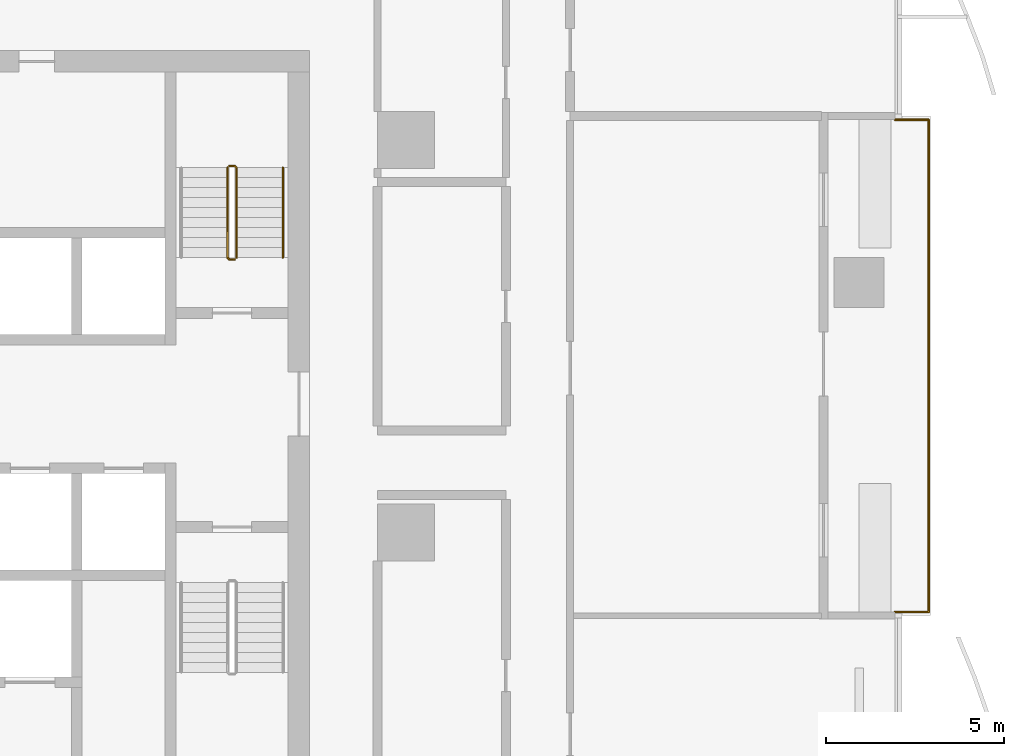
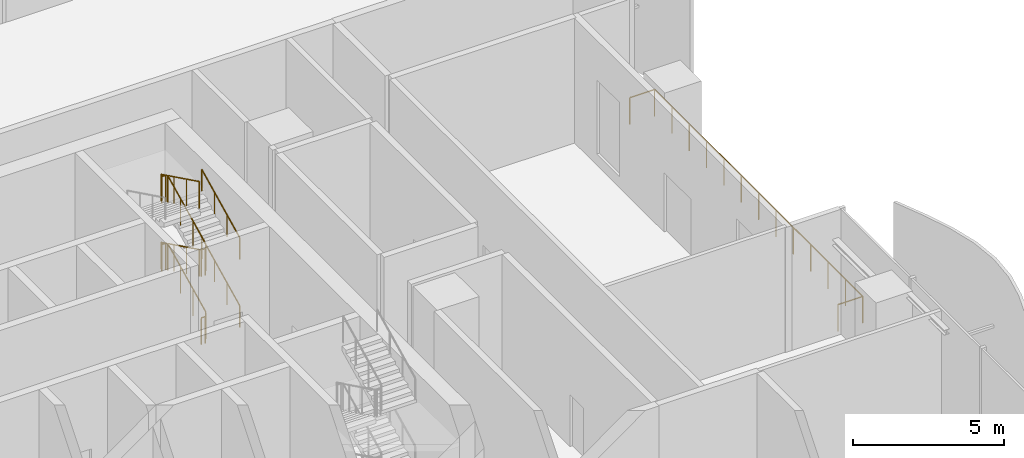
# One storey, part 19 of 20: 8 railings.
"""IFC4 building model written with IfcOpenShell, lengths in metres."""

from ifc_helpers import new_model, si_unit, direction, frame, origin, origin_2d, place, context, subcontext, project, spatial, circle, extrude, material, type_object, element, save


model = new_model("IFC4")

# Units and contexts
model_context = context("Model", 3, precision=1e-05, world=origin(), true_north=direction((0.0, 1.0)))
body_context = subcontext(model_context, "Body", "Model", "MODEL_VIEW")
ifc_project = project(units=[si_unit("LENGTHUNIT", "METRE"), si_unit("AREAUNIT", "SQUARE_METRE"), si_unit("VOLUMEUNIT", "CUBIC_METRE"), si_unit("PLANEANGLEUNIT", "RADIAN"), si_unit("MASSUNIT", "GRAM", prefix="KILO")], contexts=[model_context])

# Site, building, storey
site_placement = place(None, origin())
site = spatial("IfcSite", under=ifc_project, at=site_placement, CompositionType="ELEMENT")
building_placement = place(site_placement, origin())
building = spatial("IfcBuilding", under=site, at=building_placement, Name="Mopane Tessera Tower", CompositionType="ELEMENT")
storey_placement = place(building_placement, frame((0.0, 0.0, 25.5)))
storey = spatial("IfcBuildingStorey", under=building, at=storey_placement, Name="L04", CompositionType="ELEMENT", Elevation=25.5)

# Railings
ifc_material_1 = material(Name="Powder-coated steel balustrade", Category="steel")
railing_type_1 = type_object("IfcRailingType", Name="Escape stair guard 1100 mm", PredefinedType="GUARDRAIL", material=ifc_material_1)
railing_1_placement = place(storey_placement, frame((12.35009765625, 7.699951171875, 0.137451171875)))
element("IfcRailing", 1, at=railing_1_placement, inside=storey, type_object=railing_type_1, Name="L04 ST4 stair guard 1", PredefinedType="GUARDRAIL", context=body_context, shape_type="SweptSolid", body=[
    extrude(circle(Radius=0.02392578125, at=origin_2d()), frame((0.0, 0.0, 1.076171875), z_axis=(0.0, 0.897604431175, 0.440801866075), x_axis=(-1.0, 0.0, 0.0)), (0.0, 0.0, 1.0), 2.807373046875),
    extrude(circle(Radius=0.02392578125, at=origin_2d()), frame((0.0, 2.52001953125, 2.3134765625), z_axis=(-0.707106781187, 0.707106781187, 0.0), x_axis=(-0.707106781187, -0.707106781187, 0.0)), (0.0, 0.0, 1.0), 0.07080078125),
    extrude(circle(Radius=0.02392578125, at=origin_2d()), frame((-0.050048828125, 2.570068359375, 2.3134765625), z_axis=(-1.0, 0.0, 0.0), x_axis=(0.0, -1.0, 0.0)), (0.0, 0.0, 1.0), 0.150146484375),
    extrude(circle(Radius=0.02099609375, at=origin_2d()), origin(), (0.0, 0.0, 1.0), 1.052001953125),
    extrude(circle(Radius=0.02099609375, at=origin_2d()), frame((0.0, 0.840087890625, 0.41259765625)), (0.0, 0.0, 1.0), 1.052001953125),
    extrude(circle(Radius=0.02099609375, at=origin_2d()), frame((0.0, 1.679931640625, 0.824951171875)), (0.0, 0.0, 1.0), 1.052001953125),
    extrude(circle(Radius=0.02099609375, at=origin_2d()), frame((0.0, 2.52001953125, 1.237548828125)), (0.0, 0.0, 1.0), 1.052001953125),
    extrude(circle(Radius=0.02099609375, at=origin_2d()), frame((-0.050048828125, 2.570068359375, 1.237548828125)), (0.0, 0.0, 1.0), 1.052001953125),
    extrude(circle(Radius=0.02099609375, at=origin_2d()), frame((-0.2001953125, 2.570068359375, 1.237548828125)), (0.0, 0.0, 1.0), 1.052001953125),
])
railing_2_placement = place(storey_placement, frame((12.10009765625, 10.219970703125, 1.512451171875)))
element("IfcRailing", 2, at=railing_2_placement, inside=storey, type_object=railing_type_1, Name="L04 ST4 stair guard 2", PredefinedType="GUARDRAIL", context=body_context, shape_type="SweptSolid", body=[
    extrude(circle(Radius=0.02392578125, at=origin_2d()), frame((0.0, 0.0, 1.076171875), z_axis=(0.0, -0.897604431175, 0.440801866075), x_axis=(1.0, 0.0, 0.0)), (0.0, 0.0, 1.0), 2.807373046875),
    extrude(circle(Radius=0.02392578125, at=origin_2d()), frame((0.0, -2.52001953125, 2.3134765625), z_axis=(0.705375805398, -0.708833529934, 0.0), x_axis=(0.708833529934, 0.705375805398, 0.0)), (0.0, 0.0, 1.0), 0.070556640625),
    extrude(circle(Radius=0.02392578125, at=origin_2d()), frame((0.0498046875, -2.570068359375, 2.3134765625), z_axis=(1.0, 0.0, 0.0), x_axis=(0.0, 1.0, 0.0)), (0.0, 0.0, 1.0), 0.150146484375),
    extrude(circle(Radius=0.02099609375, at=origin_2d()), origin(), (0.0, 0.0, 1.0), 1.052001953125),
    extrude(circle(Radius=0.02099609375, at=origin_2d()), frame((0.0, -0.840087890625, 0.41259765625)), (0.0, 0.0, 1.0), 1.052001953125),
    extrude(circle(Radius=0.02099609375, at=origin_2d()), frame((0.0, -1.679931640625, 0.824951171875)), (0.0, 0.0, 1.0), 1.052001953125),
    extrude(circle(Radius=0.02099609375, at=origin_2d()), frame((0.0, -2.52001953125, 1.237548828125)), (0.0, 0.0, 1.0), 1.052001953125),
    extrude(circle(Radius=0.02099609375, at=origin_2d()), frame((0.0498046875, -2.570068359375, 1.237548828125)), (0.0, 0.0, 1.0), 1.052001953125),
    extrude(circle(Radius=0.02099609375, at=origin_2d()), frame((0.199951171875, -2.570068359375, 1.237548828125)), (0.0, 0.0, 1.0), 1.052001953125),
])
railing_3_placement = place(storey_placement, frame((12.35009765625, 7.699951171875, 2.887451171875)))
element("IfcRailing", 3, at=railing_3_placement, inside=storey, type_object=railing_type_1, Name="L04 ST4 stair guard 3", PredefinedType="GUARDRAIL", context=body_context, shape_type="SweptSolid", body=[
    extrude(circle(Radius=0.02392578125, at=origin_2d()), frame((0.0, 0.0, 1.076171875), z_axis=(0.0, 0.897604431175, 0.440801866075), x_axis=(-1.0, 0.0, 0.0)), (0.0, 0.0, 1.0), 2.807373046875),
    extrude(circle(Radius=0.02392578125, at=origin_2d()), frame((0.0, 2.52001953125, 2.3134765625), z_axis=(-0.707106781187, 0.707106781187, 0.0), x_axis=(-0.707106781187, -0.707106781187, 0.0)), (0.0, 0.0, 1.0), 0.07080078125),
    extrude(circle(Radius=0.02392578125, at=origin_2d()), frame((-0.050048828125, 2.570068359375, 2.3134765625), z_axis=(-1.0, 0.0, 0.0), x_axis=(0.0, -1.0, 0.0)), (0.0, 0.0, 1.0), 0.150146484375),
    extrude(circle(Radius=0.02099609375, at=origin_2d()), origin(), (0.0, 0.0, 1.0), 1.052001953125),
    extrude(circle(Radius=0.02099609375, at=origin_2d()), frame((0.0, 0.840087890625, 0.41259765625)), (0.0, 0.0, 1.0), 1.052001953125),
    extrude(circle(Radius=0.02099609375, at=origin_2d()), frame((0.0, 1.679931640625, 0.824951171875)), (0.0, 0.0, 1.0), 1.052001953125),
    extrude(circle(Radius=0.02099609375, at=origin_2d()), frame((0.0, 2.52001953125, 1.237548828125)), (0.0, 0.0, 1.0), 1.052001953125),
    extrude(circle(Radius=0.02099609375, at=origin_2d()), frame((-0.050048828125, 2.570068359375, 1.237548828125)), (0.0, 0.0, 1.0), 1.052001953125),
    extrude(circle(Radius=0.02099609375, at=origin_2d()), frame((-0.2001953125, 2.570068359375, 1.237548828125)), (0.0, 0.0, 1.0), 1.052001953125),
])
railing_4_placement = place(storey_placement, frame((12.10009765625, 10.219970703125, 4.262451171875)))
element("IfcRailing", 4, at=railing_4_placement, inside=storey, type_object=railing_type_1, Name="L04 ST4 stair guard 4", PredefinedType="GUARDRAIL", context=body_context, shape_type="SweptSolid", body=[
    extrude(circle(Radius=0.02392578125, at=origin_2d()), frame((0.0, 0.0, 1.076171875), z_axis=(0.0, -0.897604431175, 0.440801866075), x_axis=(1.0, 0.0, 0.0)), (0.0, 0.0, 1.0), 2.807373046875),
    extrude(circle(Radius=0.02099609375, at=origin_2d()), origin(), (0.0, 0.0, 1.0), 1.052001953125),
    extrude(circle(Radius=0.02099609375, at=origin_2d()), frame((0.0, -0.840087890625, 0.41259765625)), (0.0, 0.0, 1.0), 1.052001953125),
    extrude(circle(Radius=0.02099609375, at=origin_2d()), frame((0.0, -1.679931640625, 0.824951171875)), (0.0, 0.0, 1.0), 1.052001953125),
    extrude(circle(Radius=0.02099609375, at=origin_2d()), frame((0.0, -2.52001953125, 1.237548828125)), (0.0, 0.0, 1.0), 1.052001953125),
])
railing_5_placement = place(storey_placement, frame((12.300048828125, 7.64990234375, 0.0)))
element("IfcRailing", 5, at=railing_5_placement, inside=storey, type_object=railing_type_1, Name="L04 ST4 stair guard 5", PredefinedType="GUARDRAIL", context=body_context, shape_type="SweptSolid", body=[
    extrude(circle(Radius=0.02392578125, at=origin_2d()), frame((0.0, 0.0, 1.076171875), z_axis=(-1.0, 0.0, 0.0), x_axis=(0.0, -1.0, 0.0)), (0.0, 0.0, 1.0), 0.150146484375),
    extrude(circle(Radius=0.02099609375, at=origin_2d()), origin(), (0.0, 0.0, 1.0), 1.052001953125),
    extrude(circle(Radius=0.02099609375, at=origin_2d()), frame((-0.150146484375, 0.0, 0.0)), (0.0, 0.0, 1.0), 1.052001953125),
])
ifc_material_2 = material(Name="Powder-coated steel balustrade", Category="steel")
railing_type_2 = type_object("IfcRailingType", Name="Escape stair handrail 900 mm", PredefinedType="HANDRAIL", material=ifc_material_2)
for number, where, name in (
    (6, (13.64990234375, 7.699951171875, 0.137451171875), "L04 ST4 stair handrail 1"),
    (7, (13.64990234375, 7.699951171875, 2.887451171875), "L04 ST4 stair handrail 3"),
):
    element("IfcRailing", number, at=place(storey_placement, frame(where)), inside=storey, type_object=railing_type_2, Name=name, PredefinedType="HANDRAIL", context=body_context, shape_type="SweptSolid", body=[
        extrude(circle(Radius=0.02392578125, at=origin_2d()), frame((0.0, 0.0, 0.8759765625), z_axis=(0.0, 0.897604431175, 0.440801866075), x_axis=(-1.0, 0.0, 0.0)), (0.0, 0.0, 1.0), 2.807373046875),
        extrude(circle(Radius=0.02099609375, at=origin_2d()), origin(), (0.0, 0.0, 1.0), 0.851806640625),
        extrude(circle(Radius=0.02099609375, at=origin_2d()), frame((0.0, 0.840087890625, 0.41259765625)), (0.0, 0.0, 1.0), 0.851806640625),
        extrude(circle(Radius=0.02099609375, at=origin_2d()), frame((0.0, 1.679931640625, 0.824951171875)), (0.0, 0.0, 1.0), 0.851806640625),
        extrude(circle(Radius=0.02099609375, at=origin_2d()), frame((0.0, 2.52001953125, 1.237548828125)), (0.0, 0.0, 1.0), 0.851806640625),
    ])
ifc_material_3 = material(Name="Stainless steel S316", Category="steel")
railing_type_3 = type_object("IfcRailingType", Name="Terrace guard 1100", PredefinedType="GUARDRAIL", material=ifc_material_3)
railing_6_placement = place(storey_placement, frame((30.800048828125, -2.2333984375, 0.0)))
element("IfcRailing", 8, at=railing_6_placement, inside=storey, type_object=railing_type_3, Name="e:nw:L04:N2:guard", PredefinedType="GUARDRAIL", context=body_context, shape_type="SweptSolid", body=[
    extrude(circle(Radius=0.02392578125, at=origin_2d()), frame((0.0, 0.0, 1.076171875), z_axis=(1.0, 0.0, 0.0), x_axis=(0.0, 1.0, 0.0)), (0.0, 0.0, 1.0), 0.949951171875),
    extrude(circle(Radius=0.02392578125, at=origin_2d()), frame((0.949951171875, 0.0, 1.076171875), z_axis=(0.0, 1.0, 0.0), x_axis=(-1.0, 0.0, 0.0)), (0.0, 0.0, 1.0), 13.800048828125),
    extrude(circle(Radius=0.02392578125, at=origin_2d()), frame((0.949951171875, 13.800048828125, 1.076171875), z_axis=(-1.0, 0.0, 0.0), x_axis=(0.0, -1.0, 0.0)), (0.0, 0.0, 1.0), 0.949951171875),
    extrude(circle(Radius=0.02099609375, at=origin_2d()), origin(), (0.0, 0.0, 1.0), 1.052001953125),
    extrude(circle(Radius=0.02099609375, at=origin_2d()), frame((0.949951171875, 0.0, 0.0)), (0.0, 0.0, 1.0), 1.052001953125),
    extrude(circle(Radius=0.02099609375, at=origin_2d()), frame((0.949951171875, 1.14990234375, 0.0)), (0.0, 0.0, 1.0), 1.052001953125),
    extrude(circle(Radius=0.02099609375, at=origin_2d()), frame((0.949951171875, 2.300048828125, 0.0)), (0.0, 0.0, 1.0), 1.052001953125),
    extrude(circle(Radius=0.02099609375, at=origin_2d()), frame((0.949951171875, 3.449951171875, 0.0)), (0.0, 0.0, 1.0), 1.052001953125),
    extrude(circle(Radius=0.02099609375, at=origin_2d()), frame((0.949951171875, 4.60009765625, 0.0)), (0.0, 0.0, 1.0), 1.052001953125),
    extrude(circle(Radius=0.02099609375, at=origin_2d()), frame((0.949951171875, 5.75, 0.0)), (0.0, 0.0, 1.0), 1.052001953125),
    extrude(circle(Radius=0.02099609375, at=origin_2d()), frame((0.949951171875, 6.89990234375, 0.0)), (0.0, 0.0, 1.0), 1.052001953125),
    extrude(circle(Radius=0.02099609375, at=origin_2d()), frame((0.949951171875, 8.050048828125, 0.0)), (0.0, 0.0, 1.0), 1.052001953125),
    extrude(circle(Radius=0.02099609375, at=origin_2d()), frame((0.949951171875, 9.199951171875, 0.0)), (0.0, 0.0, 1.0), 1.052001953125),
    extrude(circle(Radius=0.02099609375, at=origin_2d()), frame((0.949951171875, 10.35009765625, 0.0)), (0.0, 0.0, 1.0), 1.052001953125),
    extrude(circle(Radius=0.02099609375, at=origin_2d()), frame((0.949951171875, 11.5, 0.0)), (0.0, 0.0, 1.0), 1.052001953125),
    extrude(circle(Radius=0.02099609375, at=origin_2d()), frame((0.949951171875, 12.650146484375, 0.0)), (0.0, 0.0, 1.0), 1.052001953125),
    extrude(circle(Radius=0.02099609375, at=origin_2d()), frame((0.949951171875, 13.800048828125, 0.0)), (0.0, 0.0, 1.0), 1.052001953125),
    extrude(circle(Radius=0.02099609375, at=origin_2d()), frame((0.0, 13.800048828125, 0.0)), (0.0, 0.0, 1.0), 1.052001953125),
])

save(model, "model.ifc")
